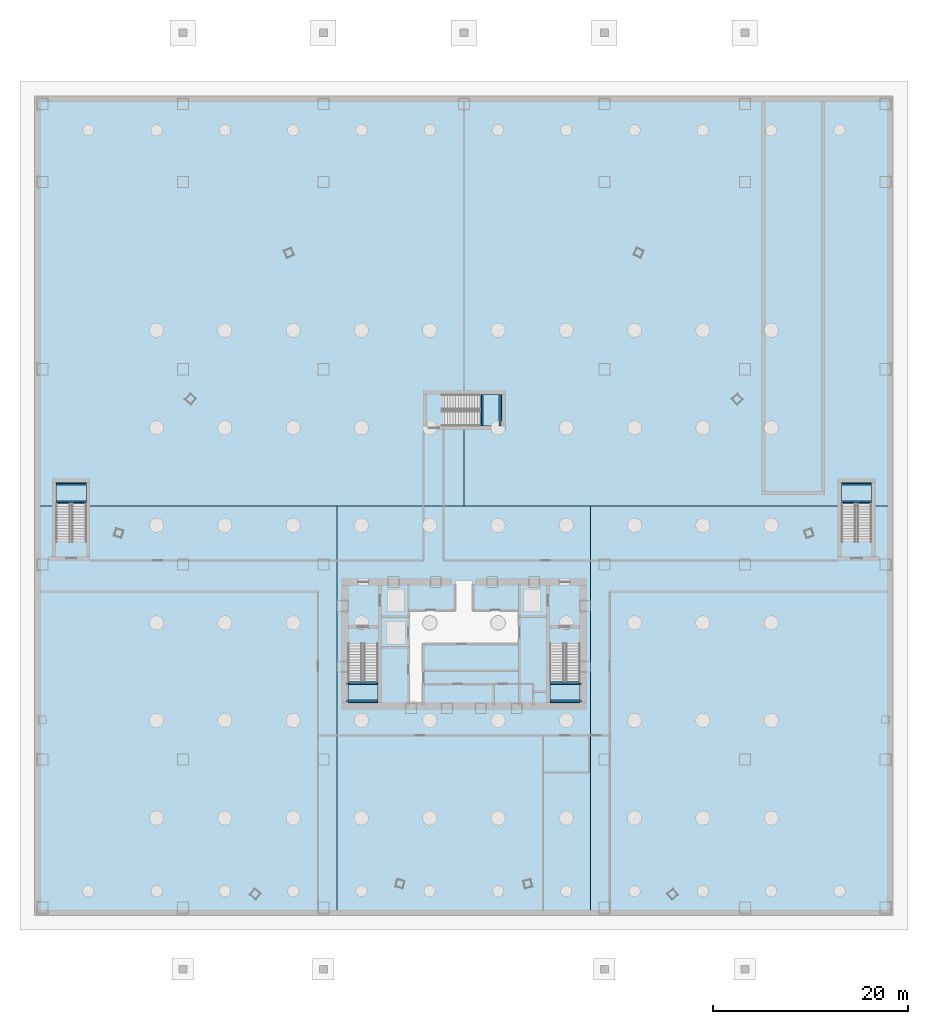
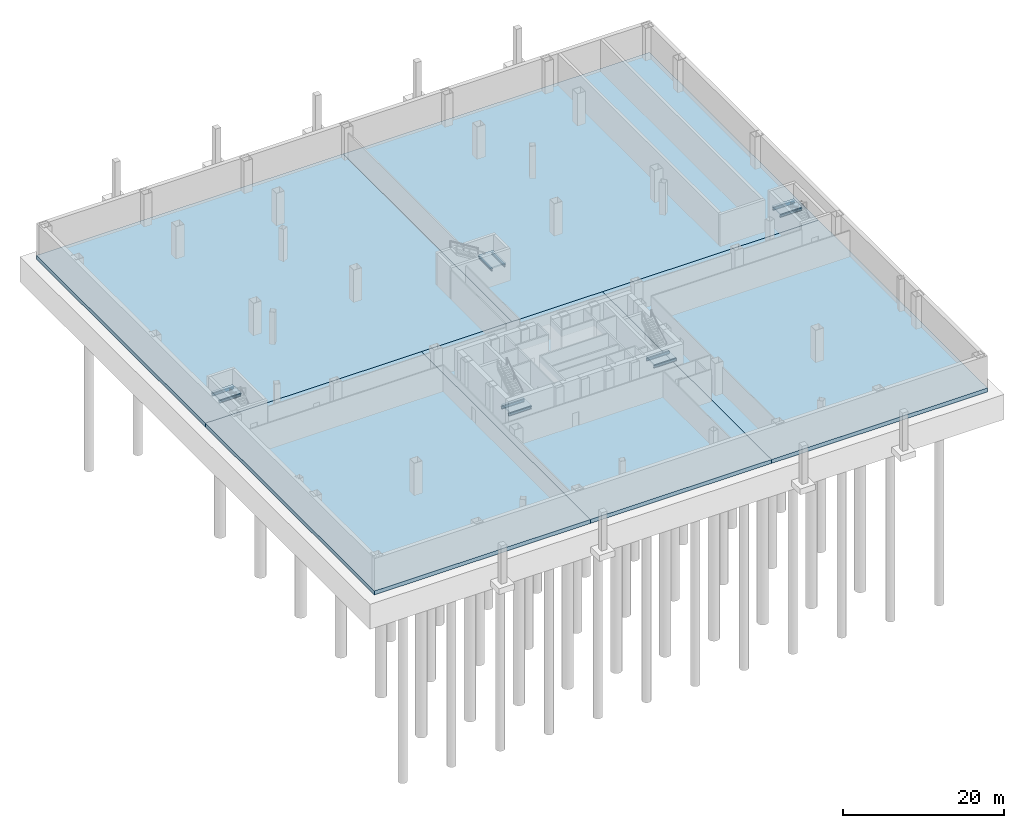
# One storey, part 4 of 15: 10 beams, 10 slabs, 5 elements without a shape of their own.
"""IFC4 building model written with IfcOpenShell, lengths in metres."""

from ifc_helpers import new_model, si_unit, direction, frame, origin, origin_2d, place, context, subcontext, project, spatial, polyline, i_section, outline, extrude, source, transform, mapped, material, layer, layer_set, material_profile, profile_set, type_object, element, aggregate, save


model = new_model("IFC4")

# Units and contexts
model_context = context("Model", 3, precision=1e-05, world=origin(), true_north=direction((0.0, 1.0)))
body_context = subcontext(model_context, "Body", "Model", "MODEL_VIEW")
ifc_project = project(units=[si_unit("LENGTHUNIT", "METRE"), si_unit("AREAUNIT", "SQUARE_METRE"), si_unit("VOLUMEUNIT", "CUBIC_METRE"), si_unit("PLANEANGLEUNIT", "RADIAN"), si_unit("MASSUNIT", "GRAM", prefix="KILO"), si_unit("THERMODYNAMICTEMPERATUREUNIT", "KELVIN"), si_unit("POWERUNIT", "WATT")], contexts=[model_context])

# Site, building, storey
site_placement = place(None, origin())
site = spatial("IfcSite", under=ifc_project, at=site_placement, CompositionType="ELEMENT")
building_placement = place(site_placement, origin())
building = spatial("IfcBuilding", under=site, at=building_placement, Name="Yunzhuo Pagoda Commons", CompositionType="ELEMENT")
storey_placement = place(building_placement, frame((0.0, 0.0, -10.0)))
storey = spatial("IfcBuildingStorey", under=building, at=storey_placement, Name="B02", CompositionType="ELEMENT", Elevation=-10.0)

# Beams
ifc_material_1 = material(Name="Structural steel Q355B", Category="steel")
ifc_material_profile = material_profile(ifc_material_1, i_section(OverallWidth=0.175048828125, OverallDepth=0.35009765625, WebThickness=0.007080078125, FlangeThickness=0.010986328125, at=origin_2d()), Name="Structural steel Q355B")
ifc_profile_set = profile_set([ifc_material_profile], Name="Structural steel Q355B")
beam_type = type_object("IfcBeamType", Name="B-JS2 Joist HN 350x175x7x11", PredefinedType="JOIST", material=ifc_profile_set)
shared_shape_1 = source(origin(), body_context, "Body", "SweptSolid", [
    extrude(i_section(OverallWidth=0.175048828125, OverallDepth=0.35009765625, WebThickness=0.007080078125, FlangeThickness=0.010986328125, at=origin_2d()), origin(), (0.0, 0.0, 1.0), 3.25),
])
for number, where, z_axis, x_axis, name in (
    (1, (35.949951171875, 28.0, 2.22509765625), (1.0, 0.0, 0.0), (0.0, 1.0, 0.0), "B02 ST1 landing support beam 1A"),
    (2, (35.949951171875, 29.780029296875, 2.22509765625), (1.0, 0.0, 0.0), (0.0, 1.0, 0.0), "B02 ST1 landing support beam 1B"),
    (3, (56.800048828125, 28.0, 2.22509765625), (1.0, 0.0, 0.0), (0.0, 1.0, 0.0), "B02 ST2 landing support beam 1A"),
    (4, (56.800048828125, 29.780029296875, 2.22509765625), (1.0, 0.0, 0.0), (0.0, 1.0, 0.0), "B02 ST2 landing support beam 1B"),
):
    element("IfcBeam", number, at=place(storey_placement, frame(where, z_axis=z_axis, x_axis=x_axis)), inside=storey, type_object=beam_type, Name=name, PredefinedType="JOIST", context=body_context, shape_type="MappedRepresentation", body=[
        mapped(shared_shape_1, transform((0.0, 0.0, 0.0), scale=1.0)),
    ])
shared_shape_2 = source(origin(), body_context, "Body", "SweptSolid", [
    extrude(i_section(OverallWidth=0.175048828125, OverallDepth=0.35009765625, WebThickness=0.007080078125, FlangeThickness=0.010986328125, at=origin_2d()), origin(), (0.0, 0.0, 1.0), 3.199951171875),
])
for number, where, z_axis, x_axis, name in (
    (5, (49.8701171875, 56.199951171875, 2.22509765625), (0.0, 1.0, 0.0), (-1.0, 0.0, 0.0), "B02 ST3 landing support beam 1A"),
    (6, (51.699951171875, 56.199951171875, 2.22509765625), (0.0, 1.0, 0.0), (-1.0, 0.0, 0.0), "B02 ST3 landing support beam 1B"),
):
    element("IfcBeam", number, at=place(storey_placement, frame(where, z_axis=z_axis, x_axis=x_axis)), inside=storey, type_object=beam_type, Name=name, PredefinedType="JOIST", context=body_context, shape_type="MappedRepresentation", body=[
        mapped(shared_shape_2, transform((0.0, 0.0, 0.0), scale=1.0)),
    ])
shared_shape_3 = source(origin(), body_context, "Body", "SweptSolid", [
    extrude(i_section(OverallWidth=0.175048828125, OverallDepth=0.35009765625, WebThickness=0.007080078125, FlangeThickness=0.010986328125, at=origin_2d()), origin(), (0.0, 0.0, 1.0), 3.10009765625),
])
for number, where, z_axis, x_axis, name in (
    (7, (6.199951171875, 48.419921875, 2.22509765625), (1.0, 0.0, 0.0), (0.0, 1.0, 0.0), "B02 PS3 landing support beam 1A"),
    (8, (6.199951171875, 50.199951171875, 2.22509765625), (1.0, 0.0, 0.0), (0.0, 1.0, 0.0), "B02 PS3 landing support beam 1B"),
    (9, (86.699951171875, 48.419921875, 2.22509765625), (1.0, 0.0, 0.0), (0.0, 1.0, 0.0), "B02 PS4 landing support beam 1A"),
    (10, (86.699951171875, 50.199951171875, 2.22509765625), (1.0, 0.0, 0.0), (0.0, 1.0, 0.0), "B02 PS4 landing support beam 1B"),
):
    element("IfcBeam", number, at=place(storey_placement, frame(where, z_axis=z_axis, x_axis=x_axis)), inside=storey, type_object=beam_type, Name=name, PredefinedType="JOIST", context=body_context, shape_type="MappedRepresentation", body=[
        mapped(shared_shape_3, transform((0.0, 0.0, 0.0), scale=1.0)),
    ])

# Slabs
ifc_material_2 = material(Name="Concrete C40", Category="concrete")
ifc_layer_1 = layer(ifc_material_2, 0.60009765625)
ifc_layer_set_1 = layer_set([ifc_layer_1], Name="Concrete C40")
slab_type_1 = type_object("IfcSlabType", Name="SL-BASE Basement Base Slab 600", PredefinedType="BASESLAB", material=ifc_layer_set_1)
slab_1_placement = place(storey_placement, frame((0.0, 0.0, -0.60009765625)))
element("IfcSlab", 11, at=slab_1_placement, inside=storey, type_object=slab_type_1, Name="B02 basement base slab NW", PredefinedType="BASESLAB", context=body_context, shape_type="SweptSolid", body=[
    extrude(outline(polyline([(4.0, 48.0), (48.0, 48.0), (48.0, 90.0), (4.0, 90.0), (4.0, 48.0)])), origin(), (0.0, 0.0, 1.0), 0.60009765625),
])
slab_2_placement = place(storey_placement, frame((0.0, 0.0, -0.60009765625)))
element("IfcSlab", 12, at=slab_2_placement, inside=storey, type_object=slab_type_1, Name="B02 basement base slab NE", PredefinedType="BASESLAB", context=body_context, shape_type="SweptSolid", body=[
    extrude(outline(polyline([(48.0, 48.0), (92.0, 48.0), (92.0, 90.0), (48.0, 90.0), (48.0, 48.0)])), origin(), (0.0, 0.0, 1.0), 0.60009765625),
])
slab_3_placement = place(storey_placement, frame((0.0, 0.0, -0.60009765625)))
element("IfcSlab", 13, at=slab_3_placement, inside=storey, type_object=slab_type_1, Name="B02 basement base slab SW", PredefinedType="BASESLAB", context=body_context, shape_type="SweptSolid", body=[
    extrude(outline(polyline([(4.0, 6.0), (35.0, 6.0), (35.0, 48.0), (4.0, 48.0), (4.0, 6.0)])), origin(), (0.0, 0.0, 1.0), 0.60009765625),
])
slab_4_placement = place(storey_placement, frame((0.0, 0.0, -0.60009765625)))
element("IfcSlab", 14, at=slab_4_placement, inside=storey, type_object=slab_type_1, Name="B02 basement base slab SE", PredefinedType="BASESLAB", context=body_context, shape_type="SweptSolid", body=[
    extrude(outline(polyline([(61.0, 6.0), (92.0, 6.0), (92.0, 48.0), (61.0, 48.0), (61.0, 6.0)])), origin(), (0.0, 0.0, 1.0), 0.60009765625),
])
slab_5_placement = place(storey_placement, frame((0.0, 0.0, -0.60009765625)))
element("IfcSlab", 15, at=slab_5_placement, inside=storey, type_object=slab_type_1, Name="B02 basement base slab CORE", PredefinedType="BASESLAB", context=body_context, shape_type="SweptSolid", body=[
    extrude(outline(polyline([(35.0, 6.0), (61.0, 6.0), (61.0, 48.0), (35.0, 48.0), (35.0, 6.0)])), origin(), (0.0, 0.0, 1.0), 0.60009765625),
])

# Stair, slab
stair_type_1 = type_object("IfcStairType", Name="ST-C1 Core Smokeproof Stair ST1", PredefinedType="HALF_TURN_STAIR", material=ifc_material_2)
stair_1_placement = place(storey_placement, origin())
stair_1 = element("IfcStair", 16, at=stair_1_placement, inside=storey, type_object=stair_type_1, Name="B02 Core smokeproof stair ST1", PredefinedType="HALF_TURN_STAIR")
ifc_layer_2 = layer(ifc_material_2, 0.199951171875)
ifc_layer_set_2 = layer_set([ifc_layer_2], Name="Concrete C40")
slab_type_2 = type_object("IfcSlabType", Name="SL-LND1 Stair Landing Slab 200", PredefinedType="LANDING", material=ifc_layer_set_2)
slab_6_placement = place(storey_placement, frame((0.0, 0.0, 2.39990234375)))
slab_6 = element("IfcSlab", 17, at=slab_6_placement, type_object=slab_type_2, Name="ST1 landing 1", PredefinedType="LANDING", context=body_context, shape_type="SweptSolid", body=[
    extrude(outline(polyline([(36.10009765625, 29.97998046875), (36.10009765625, 27.800048828125), (39.199951171875, 27.800048828125), (39.199951171875, 29.97998046875), (36.10009765625, 29.97998046875)])), origin(), (0.0, 0.0, 1.0), 0.2001953125),
])
aggregate(stair_1, [slab_6])

stair_type_2 = type_object("IfcStairType", Name="ST-C2 Core Smokeproof Stair ST2", PredefinedType="HALF_TURN_STAIR", material=ifc_material_2)
stair_2_placement = place(storey_placement, origin())
stair_2 = element("IfcStair", 18, at=stair_2_placement, inside=storey, type_object=stair_type_2, Name="B02 Core smokeproof stair ST2", PredefinedType="HALF_TURN_STAIR")
ifc_layer_3 = layer(ifc_material_2, 0.201904296875)
ifc_layer_set_3 = layer_set([ifc_layer_3], Name="Concrete C40")
slab_type_3 = type_object("IfcSlabType", Name="SL-LND2 Stair Landing Slab 202", PredefinedType="LANDING", material=ifc_layer_set_3)
slab_7_placement = place(storey_placement, frame((0.0, 0.0, 2.39990234375)))
slab_7 = element("IfcSlab", 19, at=slab_7_placement, type_object=slab_type_3, Name="ST2 landing 1", PredefinedType="LANDING", context=body_context, shape_type="SweptSolid", body=[
    extrude(outline(polyline([(56.800048828125, 29.97998046875), (56.800048828125, 27.800048828125), (59.89990234375, 27.800048828125), (59.89990234375, 29.97998046875), (56.800048828125, 29.97998046875)])), origin(), (0.0, 0.0, 1.0), 0.2001953125),
])
aggregate(stair_2, [slab_7])

stair_type_3 = type_object("IfcStairType", Name="ST-P3 Podium Exit Stair PS3", PredefinedType="HALF_TURN_STAIR", material=ifc_material_2)
stair_3_placement = place(storey_placement, origin())
stair_3 = element("IfcStair", 20, at=stair_3_placement, inside=storey, type_object=stair_type_3, Name="B02 Podium exit stair PS3", PredefinedType="HALF_TURN_STAIR")
ifc_layer_4 = layer(ifc_material_2, 0.2060546875)
ifc_layer_set_4 = layer_set([ifc_layer_4], Name="Concrete C40")
slab_type_4 = type_object("IfcSlabType", Name="SL-LND3 Podium Landing Slab 206", PredefinedType="LANDING", material=ifc_layer_set_4)
slab_8_placement = place(storey_placement, frame((0.0, 0.0, 2.39990234375)))
slab_8 = element("IfcSlab", 21, at=slab_8_placement, type_object=slab_type_4, Name="PS3 landing 1", PredefinedType="LANDING", context=body_context, shape_type="SweptSolid", body=[
    extrude(outline(polyline([(9.300048828125, 48.219970703125), (9.300048828125, 50.39990234375), (6.199951171875, 50.39990234375), (6.199951171875, 48.219970703125), (9.300048828125, 48.219970703125)])), origin(), (0.0, 0.0, 1.0), 0.2001953125),
])
aggregate(stair_3, [slab_8])

stair_type_4 = type_object("IfcStairType", Name="ST-P4 Podium Exit Stair PS4", PredefinedType="HALF_TURN_STAIR", material=ifc_material_2)
stair_4_placement = place(storey_placement, origin())
stair_4 = element("IfcStair", 22, at=stair_4_placement, inside=storey, type_object=stair_type_4, Name="B02 Podium exit stair PS4", PredefinedType="HALF_TURN_STAIR")
ifc_layer_5 = layer(ifc_material_2, 0.2080078125)
ifc_layer_set_5 = layer_set([ifc_layer_5], Name="Concrete C40")
slab_type_5 = type_object("IfcSlabType", Name="SL-LND4 Podium Landing Slab 208", PredefinedType="LANDING", material=ifc_layer_set_5)
slab_9_placement = place(storey_placement, frame((0.0, 0.0, 2.39990234375)))
slab_9 = element("IfcSlab", 23, at=slab_9_placement, type_object=slab_type_5, Name="PS4 landing 1", PredefinedType="LANDING", context=body_context, shape_type="SweptSolid", body=[
    extrude(outline(polyline([(89.800048828125, 48.219970703125), (89.800048828125, 50.39990234375), (86.699951171875, 50.39990234375), (86.699951171875, 48.219970703125), (89.800048828125, 48.219970703125)])), origin(), (0.0, 0.0, 1.0), 0.2001953125),
])
aggregate(stair_4, [slab_9])

stair_type_5 = type_object("IfcStairType", Name="ST-C3 North Tower Smokeproof Stair ST3", PredefinedType="HALF_TURN_STAIR", material=ifc_material_2)
stair_5_placement = place(storey_placement, origin())
stair_5 = element("IfcStair", 24, at=stair_5_placement, inside=storey, type_object=stair_type_5, Name="B02 North tower smokeproof stair ST3", PredefinedType="HALF_TURN_STAIR")
ifc_layer_6 = layer(ifc_material_2, 0.2041015625)
ifc_layer_set_6 = layer_set([ifc_layer_6], Name="Concrete C40")
slab_type_6 = type_object("IfcSlabType", Name="SL-LND5 North Landing Slab 204", PredefinedType="LANDING", material=ifc_layer_set_6)
slab_10_placement = place(storey_placement, frame((0.0, 0.0, 2.39990234375)))
slab_10 = element("IfcSlab", 25, at=slab_10_placement, type_object=slab_type_6, Name="ST3 landing 1", PredefinedType="LANDING", context=body_context, shape_type="SweptSolid", body=[
    extrude(outline(polyline([(49.669921875, 56.199951171875), (51.89990234375, 56.199951171875), (51.89990234375, 59.39990234375), (49.669921875, 59.39990234375), (49.669921875, 56.199951171875)])), origin(), (0.0, 0.0, 1.0), 0.2001953125),
])
aggregate(stair_5, [slab_10])

save(model, "model.ifc")
